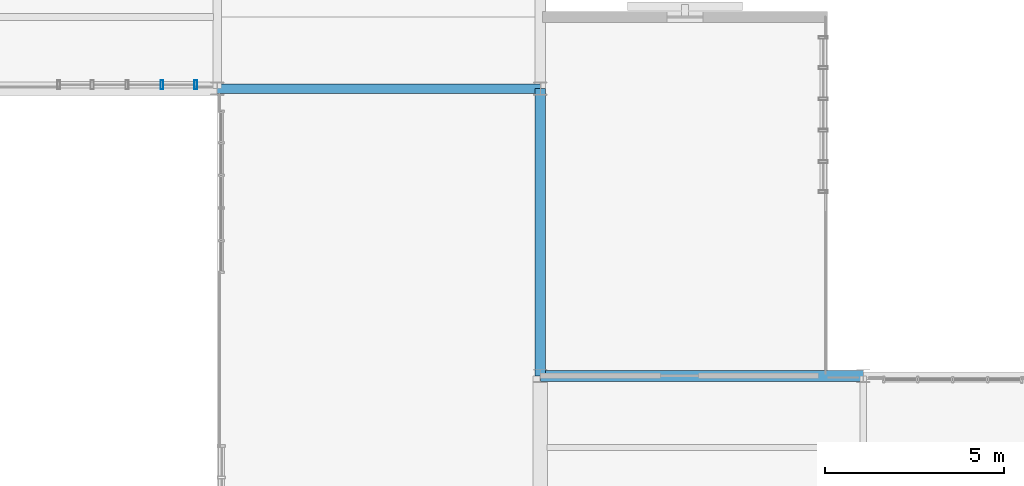
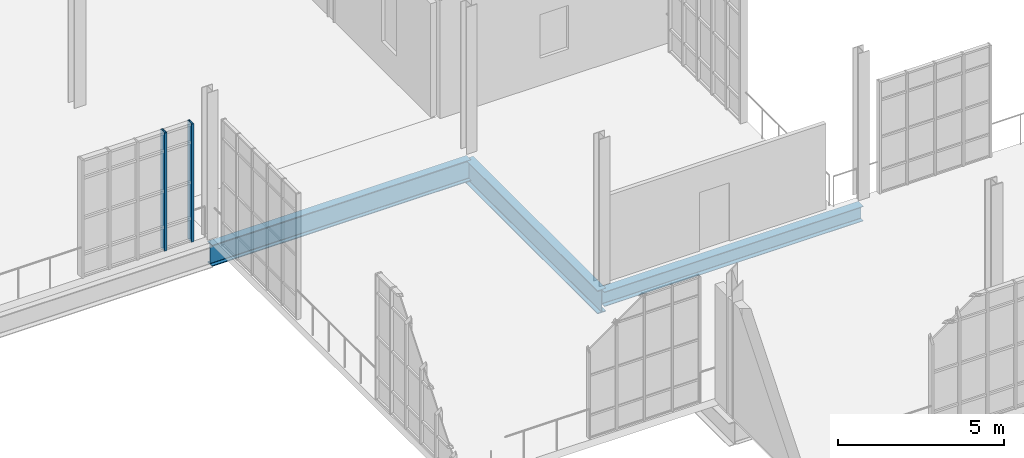
# One storey, part 55 of 142: 3 beams, 2 members, 1 element without a shape of its own.
"""IFC4 building model written with IfcOpenShell, lengths in metres."""

from ifc_helpers import new_model, si_unit, direction, frame, origin, origin_2d, place, context, subcontext, project, spatial, hollow_rectangle, i_section, extrude, material, layer, layer_set, material_profile, profile_set, type_object, element, aggregate, save


model = new_model("IFC4")

# Units and contexts
model_context = context("Model", 3, precision=1e-05, world=origin(), true_north=direction((0.0, 1.0)))
body_context = subcontext(model_context, "Body", "Model", "MODEL_VIEW")
ifc_project = project(units=[si_unit("LENGTHUNIT", "METRE"), si_unit("AREAUNIT", "SQUARE_METRE"), si_unit("VOLUMEUNIT", "CUBIC_METRE"), si_unit("PLANEANGLEUNIT", "RADIAN"), si_unit("MASSUNIT", "GRAM", prefix="KILO"), si_unit("THERMODYNAMICTEMPERATUREUNIT", "KELVIN"), si_unit("POWERUNIT", "WATT")], contexts=[model_context])

# Site, building, storey
site_placement = place(None, origin())
site = spatial("IfcSite", under=ifc_project, at=site_placement, CompositionType="ELEMENT")
building_placement = place(site_placement, origin())
building = spatial("IfcBuilding", under=site, at=building_placement, Name="Zelmaris Science Centre", CompositionType="ELEMENT")
storey_placement = place(building_placement, frame((0.0, 0.0, 5.39990234375)))
storey = spatial("IfcBuildingStorey", under=building, at=storey_placement, Name="L01", CompositionType="ELEMENT", Elevation=5.39990234375)

# Curtain wall, members
ifc_material_1 = material(Name="Anodised architectural aluminium 6063-T6", Category="aluminium")
ifc_layer = layer(ifc_material_1, 0.18994140625, Name="Anodised architectural aluminium 6063-T6")
ifc_layer_set = layer_set([ifc_layer], Name="Anodised architectural aluminium 6063-T6")
curtain_wall_type = type_object("IfcCurtainWallType", Name="Curtain Wall CW-01", PredefinedType="USERDEFINED", material=ifc_layer_set)
curtain_wall_placement = place(storey_placement, origin())
curtain_wall = element("IfcCurtainWall", 1, at=curtain_wall_placement, inside=storey, type_object=curtain_wall_type, Name="L01 Unitised curtain wall 189", ObjectType="GLAZED CURTAIN WALL", PredefinedType="USERDEFINED")
ifc_material_profile_1 = material_profile(ifc_material_1, hollow_rectangle(XDim=0.080078125, YDim=0.25, WallThickness=0.0048828125, at=origin_2d()), Name="ALU-MUL-80X250")
ifc_profile_set_1 = profile_set([ifc_material_profile_1], Name="Anodised architectural aluminium 6063-T6")
member_type = type_object("IfcMemberType", Name="ALU-MUL-80X250", PredefinedType="MULLION", material=ifc_profile_set_1)
member_1_placement = place(storey_placement, frame((98.397216796875, 64.109619140625, -0.014892578125), z_axis=(0.0, 0.0, 1.0), x_axis=(-0.999999804795, -0.000624827832, 0.0)))
member_1 = element("IfcMember", 2, at=member_1_placement, type_object=member_type, Name="CW-01 mullion 1", PredefinedType="MULLION", context=body_context, shape_type="SweptSolid", body=[
    extrude(hollow_rectangle(XDim=0.080078125, YDim=0.25, WallThickness=0.0048828125, at=origin_2d()), origin(), (0.0, 0.0, 1.0), 4.340087890625),
])
member_2_placement = place(storey_placement, frame((97.461669921875, 64.10888671875, -0.014892578125), z_axis=(0.0, 0.0, 1.0), x_axis=(-0.999999804795, -0.000624827832, 0.0)))
member_2 = element("IfcMember", 3, at=member_2_placement, type_object=member_type, Name="CW-01 mullion 2", PredefinedType="MULLION", context=body_context, shape_type="SweptSolid", body=[
    extrude(hollow_rectangle(XDim=0.080078125, YDim=0.25, WallThickness=0.0048828125, at=origin_2d()), origin(), (0.0, 0.0, 1.0), 4.340087890625),
])
aggregate(curtain_wall, [member_1, member_2])

# Beams
ifc_material_2 = material(Name="Steel ASTM A992 Grade 50", Category="steel")
ifc_material_profile_2 = material_profile(ifc_material_2, i_section(OverallWidth=0.31201171875, OverallDepth=0.5439453125, WebThickness=0.0126953125, FlangeThickness=0.020263671875, FilletRadius=0.013916015625, at=origin_2d()), Name="W21X101")
ifc_profile_set_2 = profile_set([ifc_material_profile_2], Name="Steel ASTM A992 Grade 50")
beam_type_1 = type_object("IfcBeamType", Name="Beam G-18 W21X101", PredefinedType="BEAM", material=ifc_profile_set_2)
beam_1_placement = place(storey_placement, frame((108.0, 56.0, -0.552001953125), z_axis=(1.0, 0.0, 0.0), x_axis=(0.0, 1.0, 0.0)))
element("IfcBeam", 4, at=beam_1_placement, inside=storey, type_object=beam_type_1, Name="L01 East-west girder 383", PredefinedType="BEAM", context=body_context, shape_type="SweptSolid", body=[
    extrude(i_section(OverallWidth=0.31201171875, OverallDepth=0.5439453125, WebThickness=0.0126953125, FlangeThickness=0.020263671875, FilletRadius=0.013916015625, at=origin_2d()), origin(), (0.0, 0.0, 1.0), 9.0),
])
ifc_material_profile_3 = material_profile(ifc_material_2, i_section(OverallWidth=0.2919921875, OverallDepth=0.85888671875, WebThickness=0.01708984375, FlangeThickness=0.031005859375, FilletRadius=0.02001953125, at=origin_2d()), Name="W33X169")
ifc_profile_set_3 = profile_set([ifc_material_profile_3], Name="Steel ASTM A992 Grade 50")
beam_type_2 = type_object("IfcBeamType", Name="Beam G-29 W33X169", PredefinedType="BEAM", material=ifc_profile_set_3)
beam_2_placement = place(storey_placement, frame((108.0, 56.0, -0.70947265625), z_axis=(0.0, 1.0, 0.0), x_axis=(-1.0, 0.0, 0.0)))
element("IfcBeam", 5, at=beam_2_placement, inside=storey, type_object=beam_type_2, Name="L01 North-south girder 297", PredefinedType="BEAM", context=body_context, shape_type="SweptSolid", body=[
    extrude(i_section(OverallWidth=0.2919921875, OverallDepth=0.85888671875, WebThickness=0.01708984375, FlangeThickness=0.031005859375, FilletRadius=0.02001953125, at=origin_2d()), origin(), (0.0, 0.0, 1.0), 8.0),
])
ifc_material_profile_4 = material_profile(ifc_material_2, i_section(OverallWidth=0.26708984375, OverallDepth=0.780029296875, WebThickness=0.0166015625, FlangeThickness=0.030029296875, FilletRadius=0.01904296875, at=origin_2d()), Name="W30X148")
ifc_profile_set_4 = profile_set([ifc_material_profile_4], Name="Steel ASTM A992 Grade 50")
beam_type_3 = type_object("IfcBeamType", Name="Beam G-32 W30X148", PredefinedType="BEAM", material=ifc_profile_set_4)
beam_3_placement = place(storey_placement, frame((99.0, 64.0, -0.669921875), z_axis=(1.0, 0.0, 0.0), x_axis=(0.0, 1.0, 0.0)))
element("IfcBeam", 6, at=beam_3_placement, inside=storey, type_object=beam_type_3, Name="L01 East-west girder 393", PredefinedType="BEAM", context=body_context, shape_type="SweptSolid", body=[
    extrude(i_section(OverallWidth=0.26708984375, OverallDepth=0.780029296875, WebThickness=0.0166015625, FlangeThickness=0.030029296875, FilletRadius=0.01904296875, at=origin_2d()), origin(), (0.0, 0.0, 1.0), 9.0),
])

save(model, "model.ifc")
